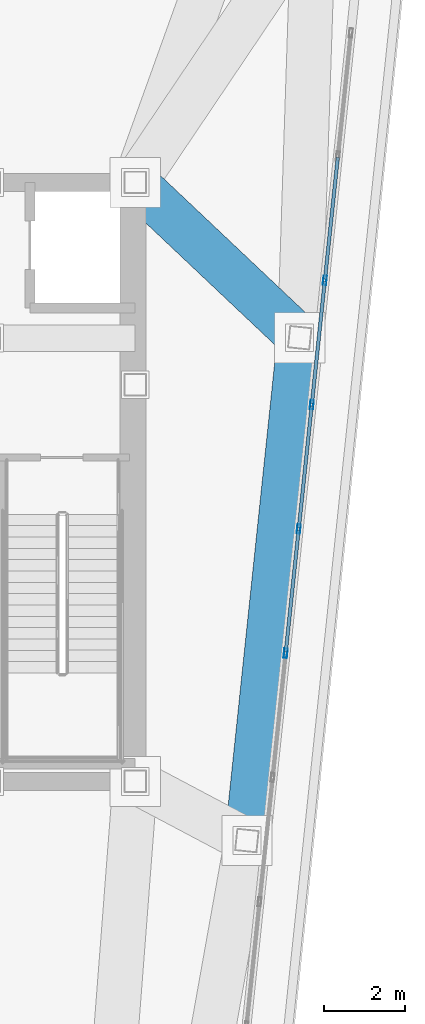
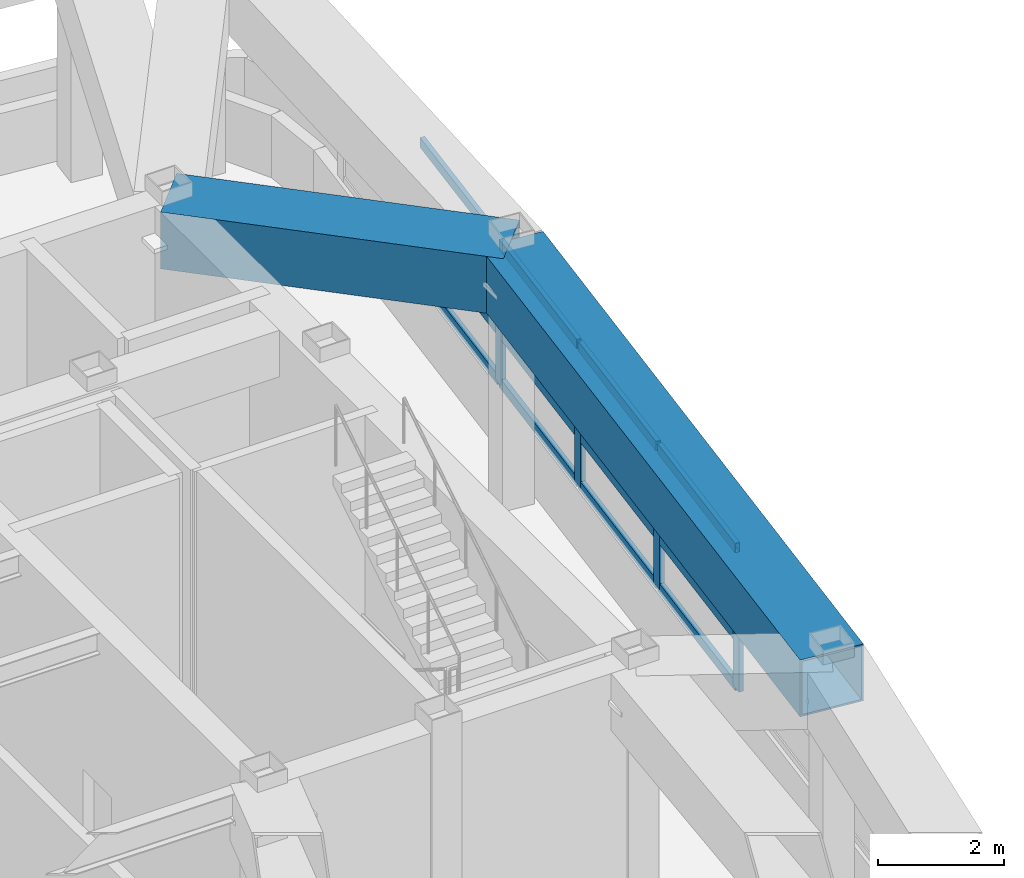
# One storey, part 11 of 22: 16 members, 2 beams, 1 element without a shape of its own.
"""IFC4 building model written with IfcOpenShell, lengths in metres."""

import ifcopenshell
import ifcopenshell.guid

model = None  # the IFC model being written
_history = None  # IfcOwnerHistory: only IFC2X3 demands one
_inside = {}  # id of a spatial element -> (the spatial element, [elements in it])
_under = {}  # id of a project, library or spatial element -> (it, [spatial elements below it])
_declared = {}  # id of a project -> (the project, [libraries it declares])
_typed = {}  # id of a type object -> (the type object, [elements of that type])
_made_of = {}  # id of a material, layer set ... -> (it, [elements and type objects made of it])


def new_model(schema):
    """Start an empty IFC model of exactly this schema.

    Asked for "IFC4X3", IfcOpenShell would pick the latest addendum, in which some entities
    have other attributes; the version numbers below select the first issue.
    IFC2X3 requires an IfcOwnerHistory on every rooted entity: one is made here for all.
    """
    global model, _history
    if schema == "IFC4X3":
        model = ifcopenshell.file(schema_version=(4, 3, 0, 0))
    else:
        model = ifcopenshell.file(schema=schema)
    _inside.clear()
    _under.clear()
    _declared.clear()
    _typed.clear()
    _made_of.clear()
    _history = None
    if model.schema == "IFC2X3":
        org = make("IfcOrganization", Name="unknown")
        user = make(
            "IfcPersonAndOrganization",
            ThePerson=make("IfcPerson", FamilyName="unknown"),
            TheOrganization=org,
        )
        app = make(
            "IfcApplication",
            ApplicationDeveloper=org,
            Version="unknown",
            ApplicationFullName="unknown",
            ApplicationIdentifier="unknown",
        )
        _history = make(
            "IfcOwnerHistory",
            OwningUser=user,
            OwningApplication=app,
            ChangeAction="ADDED",
            CreationDate=0,
        )
    return model


def make(cls, **values):
    """One entity of the class cls with the attributes given. An attribute that is None is left unset."""
    return model.create_entity(
        cls, **{name: value for name, value in values.items() if value is not None}
    )


def rooted(cls, **values):
    """An entity with a GlobalId (a new one), such as an element, a storey or a relation."""
    return make(cls, GlobalId=ifcopenshell.guid.new(), OwnerHistory=_history, **values)


def si_unit(unit_type, name, prefix=None):
    """IfcSIUnit, for example si_unit("LENGTHUNIT", "METRE", prefix="MILLI")."""
    return make("IfcSIUnit", UnitType=unit_type, Prefix=prefix, Name=name)


def assignment(units):
    """IfcUnitAssignment: the units of a project."""
    return None if units is None else make("IfcUnitAssignment", Units=units)


def point(xyz):
    """IfcCartesianPoint."""
    return None if xyz is None else make("IfcCartesianPoint", Coordinates=xyz)


def direction(xyz):
    """IfcDirection."""
    return None if xyz is None else make("IfcDirection", DirectionRatios=xyz)


def frame(location, z_axis=None, x_axis=None):
    """IfcAxis2Placement3D, a coordinate frame: its origin and axes. An axis left out is left unset."""
    return make(
        "IfcAxis2Placement3D",
        Location=point(location),
        Axis=direction(z_axis),
        RefDirection=direction(x_axis),
    )


def frame_2d(location, x_axis=None):
    """IfcAxis2Placement2D, a coordinate frame in the plane: its origin and x axis."""
    return make(
        "IfcAxis2Placement2D", Location=point(location), RefDirection=direction(x_axis)
    )


def origin():
    """The frame at (0, 0, 0) with its axes left unset."""
    return frame((0.0, 0.0, 0.0))


def origin_2d():
    """The frame at (0, 0) in the plane with its x axis left unset."""
    return frame_2d((0.0, 0.0))


def place(relative_to, where):
    """IfcLocalPlacement: puts the frame where relative to a parent placement (None: the world)."""
    return make(
        "IfcLocalPlacement", PlacementRelTo=relative_to, RelativePlacement=where
    )


def context(
    kind, dimensions, precision=None, world=None, true_north=None, identifier=None
):
    """IfcGeometricRepresentationContext, for example the 3D "Model" context."""
    return make(
        "IfcGeometricRepresentationContext",
        ContextIdentifier=identifier,
        ContextType=kind,
        CoordinateSpaceDimension=dimensions,
        Precision=precision,
        WorldCoordinateSystem=world,
        TrueNorth=true_north,
    )


def subcontext(parent, identifier, kind, view, scale=None):
    """IfcGeometricRepresentationSubContext, for example "Body" below "Model"."""
    return make(
        "IfcGeometricRepresentationSubContext",
        ContextIdentifier=identifier,
        ContextType=kind,
        ParentContext=parent,
        TargetScale=scale,
        TargetView=view,
    )


def project(units=None, contexts=None):
    """IfcProject with its units and contexts."""
    return rooted(
        "IfcProject",
        Name="project",
        RepresentationContexts=contexts,
        UnitsInContext=assignment(units),
    )


def spatial(cls, under=None, at=None, **own):
    """A site, building, storey or space (cls), placed at a placement, below another one or the project."""
    s = rooted(cls, ObjectPlacement=at, **own)
    if under is not None:
        _under.setdefault(under.id(), (under, []))[1].append(s)
    return s


def profile(cls, at=None, kind="AREA", **sizes):
    """A parametric profile (cls). Its sizes go by their IFC names, for example OverallWidth=200.0."""
    return make(cls, ProfileType=kind, Position=at, **sizes)


def hollow_rectangle(**sizes):
    """IfcRectangleHollowProfileDef."""
    return profile("IfcRectangleHollowProfileDef", **sizes)


def extrude(swept, where, along, depth):
    """IfcExtrudedAreaSolid: the profile swept, set in the frame where, extruded along a direction by depth."""
    return make(
        "IfcExtrudedAreaSolid",
        SweptArea=swept,
        Position=where,
        ExtrudedDirection=direction(along),
        Depth=depth,
    )


def shape(context_of_items, identifier, shape_type, items):
    """IfcShapeRepresentation: the items that make up one representation, for example the "Body"."""
    return make(
        "IfcShapeRepresentation",
        ContextOfItems=context_of_items,
        RepresentationIdentifier=identifier,
        RepresentationType=shape_type,
        Items=items,
    )


def material(Name=None, Category=None):
    """IfcMaterial."""
    return make("IfcMaterial", Name=Name, Category=Category)


def layer(
    of_material, thickness, ventilated=None, Name=None, Category=None, Priority=None
):
    """IfcMaterialLayer: one layer of a wall or slab, of a material (None: an air gap)."""
    return make(
        "IfcMaterialLayer",
        Material=of_material,
        LayerThickness=thickness,
        IsVentilated=ventilated,
        Name=Name,
        Category=Category,
        Priority=Priority,
    )


def layer_set(layers, Name=None):
    """IfcMaterialLayerSet."""
    return make("IfcMaterialLayerSet", MaterialLayers=layers, LayerSetName=Name)


def material_profile(
    of_material, cross_section, Name=None, Category=None, Priority=None
):
    """IfcMaterialProfile: a cross section and its material."""
    return make(
        "IfcMaterialProfile",
        Name=Name,
        Material=of_material,
        Profile=cross_section,
        Priority=Priority,
        Category=Category,
    )


def profile_set(profiles, Name=None, composite=None):
    """IfcMaterialProfileSet."""
    return make(
        "IfcMaterialProfileSet",
        Name=Name,
        MaterialProfiles=profiles,
        CompositeProfile=composite,
    )


def made_of(thing, what):
    """Note that an element or type object is made of a material, layer set ...; save() writes the relation."""
    if what is not None:
        _made_of.setdefault(what.id(), (what, []))[1].append(thing)
    return thing


def type_object(cls, material=None, **own):
    """A type object (cls), such as IfcWallType, which elements share."""
    return made_of(rooted(cls, **own), material)


def element(
    cls,
    number,
    at=None,
    inside=None,
    cuts=None,
    type_object=None,
    material=None,
    context=None,
    identifier="Body",
    shape_type=None,
    held_by="IfcProductDefinitionShape",
    body=None,
    shapes=None,
    **own,
):
    """One element of the class cls, such as IfcWall. Its Tag is "e" and its number.

    at: its placement. inside: the storey or other place that contains it. cuts: it is an
    opening in that element (IfcRelVoidsElement). A single representation is given by context,
    identifier, shape_type and body (its items); several are given by shapes. held_by: the class
    of the entity that holds the representations. save() writes the other relations.
    """
    e = rooted(cls, Tag="e%d" % number, ObjectPlacement=at, **own)
    if body is not None:
        shapes = [shape(context, identifier, shape_type, body)]
    if shapes is not None:
        e.Representation = make(held_by, Representations=shapes)
    if inside is not None:
        _inside.setdefault(inside.id(), (inside, []))[1].append(e)
    if cuts is not None:
        rooted(
            "IfcRelVoidsElement", RelatingBuildingElement=cuts, RelatedOpeningElement=e
        )
    if type_object is not None:
        _typed.setdefault(type_object.id(), (type_object, []))[1].append(e)
    return made_of(e, material)


def aggregate(whole, parts):
    """IfcRelAggregates: a whole, such as a stair, and the parts it consists of."""
    return rooted("IfcRelAggregates", RelatingObject=whole, RelatedObjects=parts)


def save(model, path):
    """Write the relations noted so far, then the file.

    IfcRelAggregates (storeys below a building ...), IfcRelContainedInSpatialStructure (elements
    in a storey), IfcRelDefinesByType, IfcRelAssociatesMaterial and IfcRelDeclares: one each for
    every whole, place, type object, material and project.
    """
    for whole, parts in _under.values():
        aggregate(whole, parts)
    for where, things in _inside.values():
        rooted(
            "IfcRelContainedInSpatialStructure",
            RelatedElements=things,
            RelatingStructure=where,
        )
    for kind, things in _typed.values():
        rooted("IfcRelDefinesByType", RelatedObjects=things, RelatingType=kind)
    for what, things in _made_of.values():
        rooted("IfcRelAssociatesMaterial", RelatedObjects=things, RelatingMaterial=what)
    for by, libraries in _declared.values():
        rooted("IfcRelDeclares", RelatingContext=by, RelatedDefinitions=libraries)
    model.write(path)


model = new_model("IFC4")

# Units and contexts
model_context = context("Model", 3, precision=1e-05, world=origin(), true_north=direction((0.0, 1.0)))
body_context = subcontext(model_context, "Body", "Model", "MODEL_VIEW")
ifc_project = project(units=[si_unit("LENGTHUNIT", "METRE"), si_unit("AREAUNIT", "SQUARE_METRE"), si_unit("VOLUMEUNIT", "CUBIC_METRE"), si_unit("PLANEANGLEUNIT", "RADIAN"), si_unit("MASSUNIT", "GRAM", prefix="KILO")], contexts=[model_context])

# Site, building, storey
site_placement = place(None, origin())
site = spatial("IfcSite", under=ifc_project, at=site_placement, CompositionType="ELEMENT")
building_placement = place(site_placement, origin())
building = spatial("IfcBuilding", under=site, at=building_placement, Name="Voryun Gate Residences", CompositionType="ELEMENT")
storey_placement = place(building_placement, frame((0.0, 0.0, 310.699951171875)))
storey = spatial("IfcBuildingStorey", under=building, at=storey_placement, Name="L77", CompositionType="ELEMENT", Elevation=310.699951171875)

# Beams
ifc_material_1 = material(Name="Steel SM420", Category="steel")
ifc_material_profile_1 = material_profile(ifc_material_1, hollow_rectangle(XDim=1.10009765625, YDim=1.10009765625, WallThickness=0.035888671875, at=origin_2d()), Name="BOX-1100x1100x36")
ifc_profile_set_1 = profile_set([ifc_material_profile_1], Name="Steel SM420")
beam_type = type_object("IfcBeamType", Name="BM_ARCH_RIB", PredefinedType="USERDEFINED", material=ifc_profile_set_1)
beam_1_placement = place(storey_placement, frame((21.958251953125, -8.861572265625, 4.47509765625), z_axis=(0.104519973049, 0.99452278769, 0.0), x_axis=(-0.99452278769, 0.104519973049, 0.0)))
element("IfcBeam", 1, at=beam_1_placement, inside=storey, type_object=beam_type, Name="BM-L77-SPAND-08", ObjectType="GIRDER", PredefinedType="USERDEFINED", context=body_context, shape_type="SweptSolid", body=[
    extrude(hollow_rectangle(XDim=1.10009765625, YDim=1.10009765625, WallThickness=0.035888671875, at=origin_2d()), origin(), (0.0, 0.0, 1.0), 12.491943359375),
])
beam_2_placement = place(storey_placement, frame((19.199951171875, 7.39990234375, 4.47509765625), z_axis=(0.727039799683, -0.686595317255, 0.0), x_axis=(0.686595317255, 0.727039799683, 0.0)))
element("IfcBeam", 2, at=beam_2_placement, inside=storey, type_object=beam_type, Name="BM-L77-RAD-E2", ObjectType="GIRDER", PredefinedType="USERDEFINED", context=body_context, shape_type="SweptSolid", body=[
    extrude(hollow_rectangle(XDim=1.10009765625, YDim=1.10009765625, WallThickness=0.035888671875, at=origin_2d()), origin(), (0.0, 0.0, 1.0), 5.58984375),
])

# Curtain wall, members
ifc_material_2 = material(Name="Anodised aluminium", Category="aluminium")
ifc_layer = layer(ifc_material_2, 0.22998046875, Name="CW_SYS_LANTERN_DARK_GLASS")
ifc_layer_set = layer_set([ifc_layer], Name="Anodised aluminium")
curtain_wall_type = type_object("IfcCurtainWallType", Name="CW_SYS_LANTERN_DARK_GLASS", PredefinedType="NOTDEFINED", material=ifc_layer_set)
curtain_wall_placement = place(storey_placement, origin())
curtain_wall = element("IfcCurtainWall", 3, at=curtain_wall_placement, inside=storey, type_object=curtain_wall_type, Name="Curtain wall CW6-L77-16", PredefinedType="NOTDEFINED")
ifc_material_3 = material(Name="Anodised aluminium", Category="aluminium")
ifc_material_profile_2 = material_profile(ifc_material_3, hollow_rectangle(XDim=0.0849609375, YDim=0.22998046875, WallThickness=0.006103515625, at=origin_2d()), Name="ALU-MULL-230x85x6")
ifc_profile_set_2 = profile_set([ifc_material_profile_2], Name="Anodised aluminium")
member_type_1 = type_object("IfcMemberType", Name="CW_MULL_LANT", PredefinedType="MULLION", material=ifc_profile_set_2)
member_1_placement = place(storey_placement, frame((23.885498046875, 4.978515625, 1.18994140625), z_axis=(0.0, 0.0, 1.0), x_axis=(0.994521943608, -0.104528004296, 0.0)))
member_1 = element("IfcMember", 4, at=member_1_placement, type_object=member_type_1, Name="CW6 mullion 3", PredefinedType="MULLION", context=body_context, shape_type="SweptSolid", body=[
    extrude(hollow_rectangle(XDim=0.0849609375, YDim=0.22998046875, WallThickness=0.006103515625, at=origin_2d()), origin(), (0.0, 0.0, 1.0), 2.72509765625),
])
member_2_placement = place(storey_placement, frame((23.562744140625, 1.907470703125, 1.18994140625), z_axis=(0.0, 0.0, 1.0), x_axis=(0.994521943608, -0.104528004296, 0.0)))
member_2 = element("IfcMember", 5, at=member_2_placement, type_object=member_type_1, Name="CW6 mullion 4", PredefinedType="MULLION", context=body_context, shape_type="SweptSolid", body=[
    extrude(hollow_rectangle(XDim=0.0849609375, YDim=0.22998046875, WallThickness=0.006103515625, at=origin_2d()), origin(), (0.0, 0.0, 1.0), 2.72509765625),
])
member_3_placement = place(storey_placement, frame((23.239990234375, -1.163330078125, 1.18994140625), z_axis=(0.0, 0.0, 1.0), x_axis=(0.994521943608, -0.104528004296, 0.0)))
member_3 = element("IfcMember", 6, at=member_3_placement, type_object=member_type_1, Name="CW6 mullion 5", PredefinedType="MULLION", context=body_context, shape_type="SweptSolid", body=[
    extrude(hollow_rectangle(XDim=0.0849609375, YDim=0.22998046875, WallThickness=0.006103515625, at=origin_2d()), origin(), (0.0, 0.0, 1.0), 2.72509765625),
])
member_4_placement = place(storey_placement, frame((22.917236328125, -4.234375, 1.18994140625), z_axis=(0.0, 0.0, 1.0), x_axis=(0.994521943608, -0.104528004296, 0.0)))
member_4 = element("IfcMember", 7, at=member_4_placement, type_object=member_type_1, Name="CW6 mullion 6", PredefinedType="MULLION", context=body_context, shape_type="SweptSolid", body=[
    extrude(hollow_rectangle(XDim=0.0849609375, YDim=0.22998046875, WallThickness=0.006103515625, at=origin_2d()), origin(), (0.0, 0.0, 1.0), 2.72509765625),
])
ifc_material_4 = material(Name="Anodised aluminium", Category="aluminium")
ifc_material_profile_3 = material_profile(ifc_material_4, hollow_rectangle(XDim=0.0849609375, YDim=0.18994140625, WallThickness=0.006103515625, at=origin_2d()), Name="ALU-TRAN-190x85x6")
ifc_profile_set_3 = profile_set([ifc_material_profile_3], Name="Anodised aluminium")
member_type_2 = type_object("IfcMemberType", Name="CW_TRAN_LANT", PredefinedType="USERDEFINED", material=ifc_profile_set_3)
member_5_placement = place(storey_placement, frame((24.205078125, 8.01953125, 1.219970703125), z_axis=(-0.104500100479, -0.994524876009, 0.0), x_axis=(0.994524876009, -0.104500100479, 0.0)))
member_5 = element("IfcMember", 8, at=member_5_placement, type_object=member_type_2, Name="CW6 transom 2.1", ObjectType="TRANSOM", PredefinedType="USERDEFINED", context=body_context, shape_type="SweptSolid", body=[
    extrude(hollow_rectangle(XDim=0.0849609375, YDim=0.18994140625, WallThickness=0.006103515625, at=origin_2d()), origin(), (0.0, 0.0, 1.0), 3.02783203125),
])
member_6_placement = place(storey_placement, frame((24.205078125, 8.01953125, 2.171142578125), z_axis=(-0.104500100479, -0.994524876009, 0.0), x_axis=(0.994524876009, -0.104500100479, 0.0)))
member_6 = element("IfcMember", 9, at=member_6_placement, type_object=member_type_2, Name="CW6 transom 2.2", ObjectType="TRANSOM", PredefinedType="USERDEFINED", context=body_context, shape_type="SweptSolid", body=[
    extrude(hollow_rectangle(XDim=0.0849609375, YDim=0.18994140625, WallThickness=0.006103515625, at=origin_2d()), origin(), (0.0, 0.0, 1.0), 3.02783203125),
])
member_7_placement = place(storey_placement, frame((24.205078125, 8.01953125, 3.885009765625), z_axis=(-0.104500100479, -0.994524876009, 0.0), x_axis=(0.994524876009, -0.104500100479, 0.0)))
member_7 = element("IfcMember", 10, at=member_7_placement, type_object=member_type_2, Name="CW6 transom 2.3", ObjectType="TRANSOM", PredefinedType="USERDEFINED", context=body_context, shape_type="SweptSolid", body=[
    extrude(hollow_rectangle(XDim=0.0849609375, YDim=0.18994140625, WallThickness=0.006103515625, at=origin_2d()), origin(), (0.0, 0.0, 1.0), 3.02783203125),
])
member_8_placement = place(storey_placement, frame((23.88232421875, 4.948486328125, 1.219970703125), z_axis=(-0.104500100479, -0.994524876009, 0.0), x_axis=(0.994524876009, -0.104500100479, 0.0)))
member_8 = element("IfcMember", 11, at=member_8_placement, type_object=member_type_2, Name="CW6 transom 3.1", ObjectType="TRANSOM", PredefinedType="USERDEFINED", context=body_context, shape_type="SweptSolid", body=[
    extrude(hollow_rectangle(XDim=0.0849609375, YDim=0.18994140625, WallThickness=0.006103515625, at=origin_2d()), origin(), (0.0, 0.0, 1.0), 3.02783203125),
])
member_9_placement = place(storey_placement, frame((23.88232421875, 4.948486328125, 2.171142578125), z_axis=(-0.104500100479, -0.994524876009, 0.0), x_axis=(0.994524876009, -0.104500100479, 0.0)))
member_9 = element("IfcMember", 12, at=member_9_placement, type_object=member_type_2, Name="CW6 transom 3.2", ObjectType="TRANSOM", PredefinedType="USERDEFINED", context=body_context, shape_type="SweptSolid", body=[
    extrude(hollow_rectangle(XDim=0.0849609375, YDim=0.18994140625, WallThickness=0.006103515625, at=origin_2d()), origin(), (0.0, 0.0, 1.0), 3.02783203125),
])
member_10_placement = place(storey_placement, frame((23.88232421875, 4.948486328125, 3.885009765625), z_axis=(-0.104500100479, -0.994524876009, 0.0), x_axis=(0.994524876009, -0.104500100479, 0.0)))
member_10 = element("IfcMember", 13, at=member_10_placement, type_object=member_type_2, Name="CW6 transom 3.3", ObjectType="TRANSOM", PredefinedType="USERDEFINED", context=body_context, shape_type="SweptSolid", body=[
    extrude(hollow_rectangle(XDim=0.0849609375, YDim=0.18994140625, WallThickness=0.006103515625, at=origin_2d()), origin(), (0.0, 0.0, 1.0), 3.02783203125),
])
member_11_placement = place(storey_placement, frame((23.5595703125, 1.877685546875, 1.219970703125), z_axis=(-0.104500100479, -0.994524876009, 0.0), x_axis=(0.994524876009, -0.104500100479, 0.0)))
member_11 = element("IfcMember", 14, at=member_11_placement, type_object=member_type_2, Name="CW6 transom 4.1", ObjectType="TRANSOM", PredefinedType="USERDEFINED", context=body_context, shape_type="SweptSolid", body=[
    extrude(hollow_rectangle(XDim=0.0849609375, YDim=0.18994140625, WallThickness=0.006103515625, at=origin_2d()), origin(), (0.0, 0.0, 1.0), 3.02783203125),
])
member_12_placement = place(storey_placement, frame((23.5595703125, 1.877685546875, 2.171142578125), z_axis=(-0.104500100479, -0.994524876009, 0.0), x_axis=(0.994524876009, -0.104500100479, 0.0)))
member_12 = element("IfcMember", 15, at=member_12_placement, type_object=member_type_2, Name="CW6 transom 4.2", ObjectType="TRANSOM", PredefinedType="USERDEFINED", context=body_context, shape_type="SweptSolid", body=[
    extrude(hollow_rectangle(XDim=0.0849609375, YDim=0.18994140625, WallThickness=0.006103515625, at=origin_2d()), origin(), (0.0, 0.0, 1.0), 3.02783203125),
])
member_13_placement = place(storey_placement, frame((23.5595703125, 1.877685546875, 3.885009765625), z_axis=(-0.104500100479, -0.994524876009, 0.0), x_axis=(0.994524876009, -0.104500100479, 0.0)))
member_13 = element("IfcMember", 16, at=member_13_placement, type_object=member_type_2, Name="CW6 transom 4.3", ObjectType="TRANSOM", PredefinedType="USERDEFINED", context=body_context, shape_type="SweptSolid", body=[
    extrude(hollow_rectangle(XDim=0.0849609375, YDim=0.18994140625, WallThickness=0.006103515625, at=origin_2d()), origin(), (0.0, 0.0, 1.0), 3.02783203125),
])
member_14_placement = place(storey_placement, frame((23.23681640625, -1.193359375, 1.219970703125), z_axis=(-0.104500100479, -0.994524876009, 0.0), x_axis=(0.994524876009, -0.104500100479, 0.0)))
member_14 = element("IfcMember", 17, at=member_14_placement, type_object=member_type_2, Name="CW6 transom 5.1", ObjectType="TRANSOM", PredefinedType="USERDEFINED", context=body_context, shape_type="SweptSolid", body=[
    extrude(hollow_rectangle(XDim=0.0849609375, YDim=0.18994140625, WallThickness=0.006103515625, at=origin_2d()), origin(), (0.0, 0.0, 1.0), 3.02783203125),
])
member_15_placement = place(storey_placement, frame((23.23681640625, -1.193359375, 2.171142578125), z_axis=(-0.104500100479, -0.994524876009, 0.0), x_axis=(0.994524876009, -0.104500100479, 0.0)))
member_15 = element("IfcMember", 18, at=member_15_placement, type_object=member_type_2, Name="CW6 transom 5.2", ObjectType="TRANSOM", PredefinedType="USERDEFINED", context=body_context, shape_type="SweptSolid", body=[
    extrude(hollow_rectangle(XDim=0.0849609375, YDim=0.18994140625, WallThickness=0.006103515625, at=origin_2d()), origin(), (0.0, 0.0, 1.0), 3.02783203125),
])
member_16_placement = place(storey_placement, frame((23.23681640625, -1.193359375, 3.885009765625), z_axis=(-0.104500100479, -0.994524876009, 0.0), x_axis=(0.994524876009, -0.104500100479, 0.0)))
member_16 = element("IfcMember", 19, at=member_16_placement, type_object=member_type_2, Name="CW6 transom 5.3", ObjectType="TRANSOM", PredefinedType="USERDEFINED", context=body_context, shape_type="SweptSolid", body=[
    extrude(hollow_rectangle(XDim=0.0849609375, YDim=0.18994140625, WallThickness=0.006103515625, at=origin_2d()), origin(), (0.0, 0.0, 1.0), 3.02783203125),
])
aggregate(curtain_wall, [member_1, member_2, member_3, member_4, member_5, member_6, member_7, member_8, member_9, member_10, member_11, member_12, member_13, member_14, member_15, member_16])

save(model, "model.ifc")
